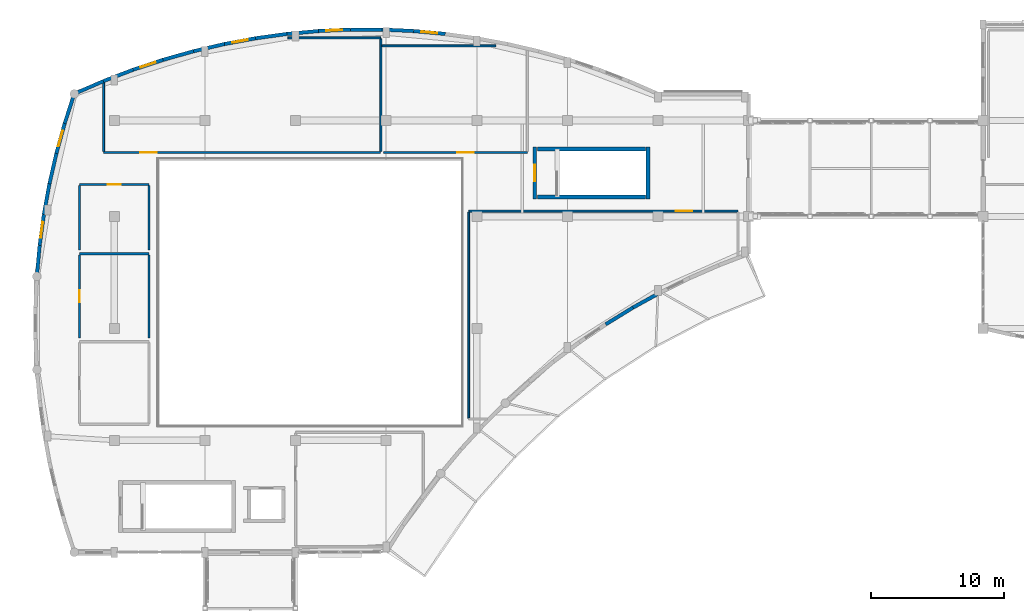
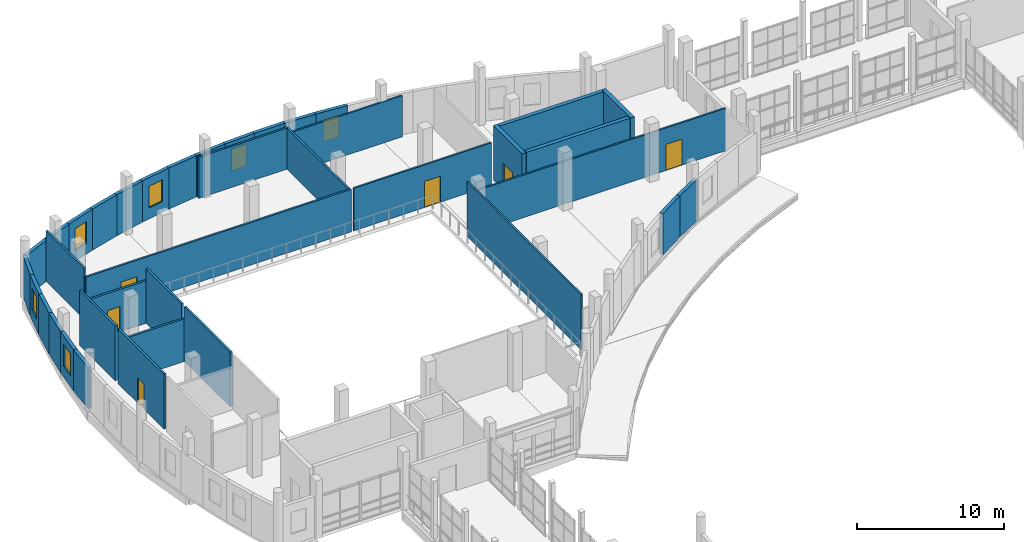
# One storey, part 86 of 106: 38 walls, 6 doors, 6 windows, 12 openings.
"""IFC4 building model written with IfcOpenShell, lengths in metres."""

from ifc_helpers import new_model, si_unit, direction, frame, frame_2d, origin, place, context, subcontext, project, spatial, rectangle, extrude, material, layer, layer_set, type_object, element, fill, save


model = new_model("IFC4")

# Units and contexts
model_context = context("Model", 3, precision=1e-05, world=origin(), true_north=direction((0.0, 1.0)))
body_context = subcontext(model_context, "Body", "Model", "MODEL_VIEW")
ifc_project = project(units=[si_unit("LENGTHUNIT", "METRE"), si_unit("AREAUNIT", "SQUARE_METRE"), si_unit("VOLUMEUNIT", "CUBIC_METRE"), si_unit("PLANEANGLEUNIT", "RADIAN"), si_unit("MASSUNIT", "GRAM", prefix="KILO")], contexts=[model_context])

# Site, building, storey
site_placement = place(None, origin())
site = spatial("IfcSite", under=ifc_project, at=site_placement, CompositionType="ELEMENT")
building_placement = place(site_placement, origin())
building = spatial("IfcBuilding", under=site, at=building_placement, Name="Kisaragi Civic Commons", CompositionType="ELEMENT")
storey_placement = place(building_placement, frame((0.0, 0.0, 4.800048828125)))
storey = spatial("IfcBuildingStorey", under=building, at=storey_placement, Name="L01", CompositionType="ELEMENT", Elevation=4.800048828125)

# Wall
ifc_material_1 = material(Name="Insulated Tokoname terracotta cavity wall", Category="masonry")
ifc_layer_1 = layer(ifc_material_1, 0.26806640625, Name="Insulated Tokoname terracotta cavity wall", Category="masonry")
ifc_layer_set_1 = layer_set([ifc_layer_1], Name="Insulated Tokoname terracotta cavity wall")
wall_type_1 = type_object("IfcWallType", Name="EW-04", PredefinedType="STANDARD", material=ifc_layer_set_1)
wall_1_placement = place(storey_placement, frame((0.9912109375, 99.9033203125, 0.0), z_axis=(0.0, 0.0, 1.0), x_axis=(0.089725771447, 0.995966508442, 0.0)))
element("IfcWall", 1, at=wall_1_placement, inside=storey, type_object=wall_type_1, Name="V2 L01 exterior terracotta wall EW-04 192", PredefinedType="STANDARD", context=body_context, shape_type="SweptSolid", body=[
    extrude(rectangle(XDim=2.33740234375, YDim=0.26806640625, at=frame_2d((1.168701171875, 0.0))), origin(), (0.0, 0.0, 1.0), 3.405029296875),
])

# Wall, opening, window
wall_2_placement = place(storey_placement, frame((1.200927734375, 102.231201171875, 0.0), z_axis=(0.0, 0.0, 1.0), x_axis=(0.134441908153, 0.990921476875, 0.0)))
wall_2 = element("IfcWall", 2, at=wall_2_placement, inside=storey, type_object=wall_type_1, Name="V2 L01 exterior terracotta wall EW-04 193", PredefinedType="STANDARD", context=body_context, shape_type="SweptSolid", body=[
    extrude(rectangle(XDim=2.337158203125, YDim=0.26806640625, at=frame_2d((1.16845703125, 0.0))), origin(), (0.0, 0.0, 1.0), 3.405029296875),
])
opening_1_placement = place(wall_2_placement, frame((0.568603515625, 0.0, 0.89990234375)))
opening_1 = element("IfcOpeningElement", 3, at=opening_1_placement, cuts=wall_2, Name="Opening W-05", PredefinedType="OPENING", context=body_context, shape_type="SweptSolid", body=[
    extrude(rectangle(XDim=1.199951171875, YDim=1.800048828125, at=frame_2d((0.60009765625, 0.89990234375))), frame((0.0, 0.14404296875, 0.0), z_axis=(0.0, -1.0, 0.0), x_axis=(1.0, 0.0, 0.0)), (0.0, 0.0, 1.0), 0.2880859375),
])
ifc_material_2 = material(Name="Thermally broken aluminium frame and low-E argon double glazing", Category="aluminium")
window_type = type_object("IfcWindowType", Name="W-05", PartitioningType="SINGLE_PANEL", PredefinedType="WINDOW", material=ifc_material_2)
window_1_placement = place(opening_1_placement, origin())
window_1 = element("IfcWindow", 4, at=window_1_placement, inside=storey, type_object=window_type, Name="V2 L01 window W-05 60", OverallHeight=1.800048828125, OverallWidth=1.199951171875, PartitioningType="SINGLE_PANEL", PredefinedType="WINDOW", context=body_context, shape_type="SweptSolid", body=[
    extrude(rectangle(XDim=1.199951171875, YDim=1.800048828125, at=frame_2d((0.60009765625, 0.89990234375))), frame((0.0, 0.030029296875, 0.0), z_axis=(0.0, -1.0, 0.0), x_axis=(1.0, 0.0, 0.0)), (0.0, 0.0, 1.0), 0.06005859375),
])
fill(opening_1, window_1)

# Walls
wall_3_placement = place(storey_placement, frame((1.51513671875, 104.547119140625, 0.0), z_axis=(0.0, 0.0, 1.0), x_axis=(0.178848665452, 0.983876595344, 0.0)))
element("IfcWall", 5, at=wall_3_placement, inside=storey, type_object=wall_type_1, Name="V2 L01 exterior terracotta wall EW-04 194", PredefinedType="STANDARD", context=body_context, shape_type="SweptSolid", body=[
    extrude(rectangle(XDim=2.3369140625, YDim=0.26806640625, at=frame_2d((1.16845703125, 0.0))), origin(), (0.0, 0.0, 1.0), 3.405029296875),
])
wall_4_placement = place(storey_placement, frame((1.93310546875, 106.846435546875, 0.0), z_axis=(0.0, 0.0, 1.0), x_axis=(0.222898540551, 0.974841648998, 0.0)))
element("IfcWall", 6, at=wall_4_placement, inside=storey, type_object=wall_type_1, Name="V2 L01 exterior terracotta wall EW-04 195", PredefinedType="STANDARD", context=body_context, shape_type="SweptSolid", body=[
    extrude(rectangle(XDim=2.33740234375, YDim=0.26806640625, at=frame_2d((1.168701171875, 0.0))), origin(), (0.0, 0.0, 1.0), 3.405029296875),
])

# Wall, opening, window
wall_5_placement = place(storey_placement, frame((2.4541015625, 109.125, 0.0), z_axis=(0.0, 0.0, 1.0), x_axis=(0.266377520109, 0.963868775706, 0.0)))
wall_5 = element("IfcWall", 7, at=wall_5_placement, inside=storey, type_object=wall_type_1, Name="V2 L01 exterior terracotta wall EW-04 196", PredefinedType="STANDARD", context=body_context, shape_type="SweptSolid", body=[
    extrude(rectangle(XDim=2.337158203125, YDim=0.26806640625, at=frame_2d((1.16845703125, 0.0))), origin(), (0.0, 0.0, 1.0), 3.405029296875),
])
opening_2_placement = place(wall_5_placement, frame((0.568603515625, 0.0, 0.89990234375)))
opening_2 = element("IfcOpeningElement", 8, at=opening_2_placement, cuts=wall_5, Name="Opening W-05", PredefinedType="OPENING", context=body_context, shape_type="SweptSolid", body=[
    extrude(rectangle(XDim=1.199951171875, YDim=1.800048828125, at=frame_2d((0.60009765625, 0.89990234375))), frame((0.0, 0.14404296875, 0.0), z_axis=(0.0, -1.0, 0.0), x_axis=(1.0, 0.0, 0.0)), (0.0, 0.0, 1.0), 0.2880859375),
])
window_2_placement = place(opening_2_placement, origin())
window_2 = element("IfcWindow", 9, at=window_2_placement, inside=storey, type_object=window_type, Name="V2 L01 window W-05 61", OverallHeight=1.800048828125, OverallWidth=1.199951171875, PartitioningType="SINGLE_PANEL", PredefinedType="WINDOW", context=body_context, shape_type="SweptSolid", body=[
    extrude(rectangle(XDim=1.199951171875, YDim=1.800048828125, at=frame_2d((0.60009765625, 0.89990234375))), frame((0.0, 0.030029296875, 0.0), z_axis=(0.0, -1.0, 0.0), x_axis=(1.0, 0.0, 0.0)), (0.0, 0.0, 1.0), 0.06005859375),
])
fill(opening_2, window_2)

# Walls
wall_6_placement = place(storey_placement, frame((3.07666015625, 111.377685546875, 0.0), z_axis=(0.0, 0.0, 1.0), x_axis=(0.309513563402, 0.950895027892, 0.0)))
element("IfcWall", 10, at=wall_6_placement, inside=storey, type_object=wall_type_1, Name="V2 L01 exterior terracotta wall EW-04 197", PredefinedType="STANDARD", context=body_context, shape_type="SweptSolid", body=[
    extrude(rectangle(XDim=2.337158203125, YDim=0.26806640625, at=frame_2d((1.16845703125, 0.0))), origin(), (0.0, 0.0, 1.0), 3.405029296875),
])
wall_7_placement = place(storey_placement, frame((3.800048828125, 113.60009765625, 0.0), z_axis=(0.0, 0.0, 1.0), x_axis=(0.916395023077, 0.400275107494, 0.0)))
element("IfcWall", 11, at=wall_7_placement, inside=storey, type_object=wall_type_1, Name="V2 L01 exterior terracotta wall EW-04 198", PredefinedType="STANDARD", context=body_context, shape_type="SweptSolid", body=[
    extrude(rectangle(XDim=2.37939453125, YDim=0.26806640625, at=frame_2d((1.189697265625, 0.0))), origin(), (0.0, 0.0, 1.0), 3.405029296875),
])
wall_8_placement = place(storey_placement, frame((5.98046875, 114.552490234375, 0.0), z_axis=(0.0, 0.0, 1.0), x_axis=(0.933744402392, 0.357940485278, 0.0)))
element("IfcWall", 12, at=wall_8_placement, inside=storey, type_object=wall_type_1, Name="V2 L01 exterior terracotta wall EW-04 199", PredefinedType="STANDARD", context=body_context, shape_type="SweptSolid", body=[
    extrude(rectangle(XDim=2.379150390625, YDim=0.26806640625, at=frame_2d((1.189453125, 0.0))), origin(), (0.0, 0.0, 1.0), 3.405029296875),
])

# Wall, opening, window
wall_9_placement = place(storey_placement, frame((8.201904296875, 115.404052734375, 0.0), z_axis=(0.0, 0.0, 1.0), x_axis=(0.949123588858, 0.31490381559, 0.0)))
wall_9 = element("IfcWall", 13, at=wall_9_placement, inside=storey, type_object=wall_type_1, Name="V2 L01 exterior terracotta wall EW-04 200", PredefinedType="STANDARD", context=body_context, shape_type="SweptSolid", body=[
    extrude(rectangle(XDim=2.37939453125, YDim=0.26806640625, at=frame_2d((1.189697265625, 0.0))), origin(), (0.0, 0.0, 1.0), 3.405029296875),
])
opening_3_placement = place(wall_9_placement, frame((0.589599609375, 0.0, 0.89990234375)))
opening_3 = element("IfcOpeningElement", 14, at=opening_3_placement, cuts=wall_9, Name="Opening W-05", PredefinedType="OPENING", context=body_context, shape_type="SweptSolid", body=[
    extrude(rectangle(XDim=1.199951171875, YDim=1.800048828125, at=frame_2d((0.60009765625, 0.89990234375))), frame((0.0, 0.14404296875, 0.0), z_axis=(0.0, -1.0, 0.0), x_axis=(1.0, 0.0, 0.0)), (0.0, 0.0, 1.0), 0.2880859375),
])
window_3_placement = place(opening_3_placement, origin())
window_3 = element("IfcWindow", 15, at=window_3_placement, inside=storey, type_object=window_type, Name="V2 L01 window W-05 62", OverallHeight=1.800048828125, OverallWidth=1.199951171875, PartitioningType="SINGLE_PANEL", PredefinedType="WINDOW", context=body_context, shape_type="SweptSolid", body=[
    extrude(rectangle(XDim=1.199951171875, YDim=1.800048828125, at=frame_2d((0.60009765625, 0.89990234375))), frame((0.0, 0.030029296875, 0.0), z_axis=(0.0, -1.0, 0.0), x_axis=(1.0, 0.0, 0.0)), (0.0, 0.0, 1.0), 0.06005859375),
])
fill(opening_3, window_3)

# Walls
wall_10_placement = place(storey_placement, frame((10.460205078125, 116.1533203125, 0.0), z_axis=(0.0, 0.0, 1.0), x_axis=(0.962554772645, 0.27108727314, 0.0)))
element("IfcWall", 16, at=wall_10_placement, inside=storey, type_object=wall_type_1, Name="V2 L01 exterior terracotta wall EW-04 201", PredefinedType="STANDARD", context=body_context, shape_type="SweptSolid", body=[
    extrude(rectangle(XDim=2.37939453125, YDim=0.26806640625, at=frame_2d((1.189697265625, 0.0))), origin(), (0.0, 0.0, 1.0), 3.405029296875),
])
wall_11_placement = place(storey_placement, frame((12.75048828125, 116.79833984375, 0.0), z_axis=(0.0, 0.0, 1.0), x_axis=(0.97394480738, 0.226785167454, 0.0)))
element("IfcWall", 17, at=wall_11_placement, inside=storey, type_object=wall_type_1, Name="V2 L01 exterior terracotta wall EW-04 202", PredefinedType="STANDARD", context=body_context, shape_type="SweptSolid", body=[
    extrude(rectangle(XDim=2.379150390625, YDim=0.26806640625, at=frame_2d((1.189453125, 0.0))), origin(), (0.0, 0.0, 1.0), 3.405029296875),
])

# Wall, opening, window
wall_12_placement = place(storey_placement, frame((15.067626953125, 117.337890625, 0.0), z_axis=(0.0, 0.0, 1.0), x_axis=(0.983293570228, 0.182026796784, 0.0)))
wall_12 = element("IfcWall", 18, at=wall_12_placement, inside=storey, type_object=wall_type_1, Name="V2 L01 exterior terracotta wall EW-04 203", PredefinedType="STANDARD", context=body_context, shape_type="SweptSolid", body=[
    extrude(rectangle(XDim=2.37939453125, YDim=0.26806640625, at=frame_2d((1.189697265625, 0.0))), origin(), (0.0, 0.0, 1.0), 3.405029296875),
])
opening_4_placement = place(wall_12_placement, frame((0.589599609375, 0.0, 0.89990234375)))
opening_4 = element("IfcOpeningElement", 19, at=opening_4_placement, cuts=wall_12, Name="Opening W-05", PredefinedType="OPENING", context=body_context, shape_type="SweptSolid", body=[
    extrude(rectangle(XDim=1.199951171875, YDim=1.800048828125, at=frame_2d((0.60009765625, 0.89990234375))), frame((0.0, 0.14404296875, 0.0), z_axis=(0.0, -1.0, 0.0), x_axis=(1.0, 0.0, 0.0)), (0.0, 0.0, 1.0), 0.2880859375),
])
window_4_placement = place(opening_4_placement, origin())
window_4 = element("IfcWindow", 20, at=window_4_placement, inside=storey, type_object=window_type, Name="V2 L01 window W-05 63", OverallHeight=1.800048828125, OverallWidth=1.199951171875, PartitioningType="SINGLE_PANEL", PredefinedType="WINDOW", context=body_context, shape_type="SweptSolid", body=[
    extrude(rectangle(XDim=1.199951171875, YDim=1.800048828125, at=frame_2d((0.60009765625, 0.89990234375))), frame((0.0, 0.030029296875, 0.0), z_axis=(0.0, -1.0, 0.0), x_axis=(1.0, 0.0, 0.0)), (0.0, 0.0, 1.0), 0.06005859375),
])
fill(opening_4, window_4)

# Walls
for number, where, z_axis, x_axis, name in (
    (21, (17.4072265625, 117.77099609375, 0.0), (0.0, 0.0, 1.0), (0.990587574889, 0.136880445919, 0.0), "V2 L01 exterior terracotta wall EW-04 204"),
    (22, (19.76416015625, 118.0966796875, 0.0), (0.0, 0.0, 1.0), (0.995812069599, 0.091423859249, 0.0), "V2 L01 exterior terracotta wall EW-04 205"),
):
    element("IfcWall", number, at=place(storey_placement, frame(where, z_axis=z_axis, x_axis=x_axis)), inside=storey, type_object=wall_type_1, Name=name, PredefinedType="STANDARD", context=body_context, shape_type="SweptSolid", body=[
        extrude(rectangle(XDim=2.37939453125, YDim=0.26806640625, at=frame_2d((1.189697265625, 0.0))), origin(), (0.0, 0.0, 1.0), 3.405029296875),
    ])

# Wall, opening, window
wall_13_placement = place(storey_placement, frame((22.133544921875, 118.314208984375, 0.0), z_axis=(0.0, 0.0, 1.0), x_axis=(0.998952399437, 0.045761377378, 0.0)))
wall_13 = element("IfcWall", 23, at=wall_13_placement, inside=storey, type_object=wall_type_1, Name="V2 L01 exterior terracotta wall EW-04 206", PredefinedType="STANDARD", context=body_context, shape_type="SweptSolid", body=[
    extrude(rectangle(XDim=2.37939453125, YDim=0.26806640625, at=frame_2d((1.189697265625, 0.0))), origin(), (0.0, 0.0, 1.0), 3.405029296875),
])
opening_5_placement = place(wall_13_placement, frame((0.589599609375, 0.0, 0.89990234375)))
opening_5 = element("IfcOpeningElement", 24, at=opening_5_placement, cuts=wall_13, Name="Opening W-05", PredefinedType="OPENING", context=body_context, shape_type="SweptSolid", body=[
    extrude(rectangle(XDim=1.199951171875, YDim=1.800048828125, at=frame_2d((0.60009765625, 0.89990234375))), frame((0.0, 0.14404296875, 0.0), z_axis=(0.0, -1.0, 0.0), x_axis=(1.0, 0.0, 0.0)), (0.0, 0.0, 1.0), 0.2880859375),
])
window_5_placement = place(opening_5_placement, origin())
window_5 = element("IfcWindow", 25, at=window_5_placement, inside=storey, type_object=window_type, Name="V2 L01 window W-05 64", OverallHeight=1.800048828125, OverallWidth=1.199951171875, PartitioningType="SINGLE_PANEL", PredefinedType="WINDOW", context=body_context, shape_type="SweptSolid", body=[
    extrude(rectangle(XDim=1.199951171875, YDim=1.800048828125, at=frame_2d((0.60009765625, 0.89990234375))), frame((0.0, 0.030029296875, 0.0), z_axis=(0.0, -1.0, 0.0), x_axis=(1.0, 0.0, 0.0)), (0.0, 0.0, 1.0), 0.06005859375),
])
fill(opening_5, window_5)

# Walls
wall_14_placement = place(storey_placement, frame((24.510498046875, 118.423095703125, 0.0), z_axis=(0.0, 0.0, 1.0), x_axis=(1.0, 0.0, 0.0)))
element("IfcWall", 26, at=wall_14_placement, inside=storey, type_object=wall_type_1, Name="V2 L01 exterior terracotta wall EW-04 207", PredefinedType="STANDARD", context=body_context, shape_type="SweptSolid", body=[
    extrude(rectangle(XDim=2.379150390625, YDim=0.26806640625, at=frame_2d((1.189453125, 0.0))), origin(), (0.0, 0.0, 1.0), 3.405029296875),
])
wall_15_placement = place(storey_placement, frame((26.8896484375, 118.423095703125, 0.0), z_axis=(0.0, 0.0, 1.0), x_axis=(0.998952399437, -0.045761377378, 0.0)))
element("IfcWall", 27, at=wall_15_placement, inside=storey, type_object=wall_type_1, Name="V2 L01 exterior terracotta wall EW-04 208", PredefinedType="STANDARD", context=body_context, shape_type="SweptSolid", body=[
    extrude(rectangle(XDim=2.37939453125, YDim=0.26806640625, at=frame_2d((1.189697265625, 0.0))), origin(), (0.0, 0.0, 1.0), 3.405029296875),
])

# Wall, opening, window
wall_16_placement = place(storey_placement, frame((29.2666015625, 118.314208984375, 0.0), z_axis=(0.0, 0.0, 1.0), x_axis=(0.995811211836, -0.091433201746, 0.0)))
wall_16 = element("IfcWall", 28, at=wall_16_placement, inside=storey, type_object=wall_type_1, Name="V2 L01 exterior terracotta wall EW-04 209", PredefinedType="STANDARD", context=body_context, shape_type="SweptSolid", body=[
    extrude(rectangle(XDim=2.379150390625, YDim=0.26806640625, at=frame_2d((1.189453125, 0.0))), origin(), (0.0, 0.0, 1.0), 3.405029296875),
])
opening_6_placement = place(wall_16_placement, frame((0.589599609375, 0.0, 0.89990234375)))
opening_6 = element("IfcOpeningElement", 29, at=opening_6_placement, cuts=wall_16, Name="Opening W-05", PredefinedType="OPENING", context=body_context, shape_type="SweptSolid", body=[
    extrude(rectangle(XDim=1.199951171875, YDim=1.800048828125, at=frame_2d((0.60009765625, 0.89990234375))), frame((0.0, 0.14404296875, 0.0), z_axis=(0.0, -1.0, 0.0), x_axis=(1.0, 0.0, 0.0)), (0.0, 0.0, 1.0), 0.2880859375),
])
window_6_placement = place(opening_6_placement, origin())
window_6 = element("IfcWindow", 30, at=window_6_placement, inside=storey, type_object=window_type, Name="V2 L01 window W-05 65", OverallHeight=1.800048828125, OverallWidth=1.199951171875, PartitioningType="SINGLE_PANEL", PredefinedType="WINDOW", context=body_context, shape_type="SweptSolid", body=[
    extrude(rectangle(XDim=1.199951171875, YDim=1.800048828125, at=frame_2d((0.60009765625, 0.89990234375))), frame((0.0, 0.030029296875, 0.0), z_axis=(0.0, -1.0, 0.0), x_axis=(1.0, 0.0, 0.0)), (0.0, 0.0, 1.0), 0.06005859375),
])
fill(opening_6, window_6)

# Walls
for number, where, z_axis, x_axis, name in (
    (31, (47.818359375, 98.720703125, 0.0), (0.0, 0.0, 1.0), (-0.875379974168, -0.483435518788, 0.0), "V2 L01 exterior terracotta wall EW-04 224"),
    (32, (45.720703125, 97.562255859375, 0.0), (0.0, 0.0, 1.0), (-0.852161661099, -0.523278609685, 0.0), "V2 L01 exterior terracotta wall EW-04 225"),
):
    element("IfcWall", number, at=place(storey_placement, frame(where, z_axis=z_axis, x_axis=x_axis)), inside=storey, type_object=wall_type_1, Name=name, PredefinedType="STANDARD", context=body_context, shape_type="SweptSolid", body=[
        extrude(rectangle(XDim=2.396240234375, YDim=0.26806640625, at=frame_2d((1.1982421875, 0.0))), origin(), (0.0, 0.0, 1.0), 3.405029296875),
    ])
ifc_material_3 = material(Name="Acoustic gypsum board on light-gauge steel studs", Category="steel")
ifc_layer_2 = layer(ifc_material_3, 0.14990234375, Name="Acoustic gypsum board on light-gauge steel studs", Category="steel")
ifc_layer_set_2 = layer_set([ifc_layer_2], Name="Acoustic gypsum board on light-gauge steel studs")
wall_type_2 = type_object("IfcWallType", Name="IW-01", PredefinedType="STANDARD", material=ifc_layer_set_2)
wall_17_placement = place(storey_placement, frame((6.0, 109.27490234375, 0.0), z_axis=(0.0, 0.0, 1.0), x_axis=(0.0, 1.0, 0.0)))
element("IfcWall", 33, at=wall_17_placement, inside=storey, type_object=wall_type_2, Name="L01 S1-02 partition IW-01 226", PredefinedType="STANDARD", context=body_context, shape_type="SweptSolid", body=[
    extrude(rectangle(XDim=5.14306640625, YDim=0.14990234375, at=frame_2d((2.571533203125, 0.0))), origin(), (0.0, 0.0, 1.0), 4.204833984375),
])
wall_18_placement = place(storey_placement, frame((19.81884765625, 117.800048828125, 0.0), z_axis=(0.0, 0.0, 1.0), x_axis=(1.0, 0.0, 0.0)))
element("IfcWall", 34, at=wall_18_placement, inside=storey, type_object=wall_type_2, Name="L01 S1-02 partition IW-01 227", PredefinedType="STANDARD", context=body_context, shape_type="SweptSolid", body=[
    extrude(rectangle(XDim=6.97607421875, YDim=0.14990234375, at=frame_2d((3.488037109375, 0.0))), origin(), (0.0, 0.0, 1.0), 3.405029296875),
])
wall_19_placement = place(storey_placement, frame((26.800048828125, 117.72509765625, 0.0), z_axis=(0.0, 0.0, 1.0), x_axis=(0.0, -1.0, 0.0)))
element("IfcWall", 35, at=wall_19_placement, inside=storey, type_object=wall_type_2, Name="L01 S1-02 partition IW-01 228", PredefinedType="STANDARD", context=body_context, shape_type="SweptSolid", body=[
    extrude(rectangle(XDim=8.4501953125, YDim=0.14990234375, at=frame_2d((4.22509765625, 0.0))), origin(), (0.0, 0.0, 1.0), 3.405029296875),
])

# Wall, opening, door
wall_20_placement = place(storey_placement, frame((26.794921875, 109.199951171875, 0.0), z_axis=(0.0, 0.0, 1.0), x_axis=(-1.0, 0.0, 0.0)))
wall_20 = element("IfcWall", 36, at=wall_20_placement, inside=storey, type_object=wall_type_2, Name="L01 S1-02 partition IW-01 229", PredefinedType="STANDARD", context=body_context, shape_type="SweptSolid", body=[
    extrude(rectangle(XDim=20.7900390625, YDim=0.14990234375, at=frame_2d((10.39501953125, 0.0))), origin(), (0.0, 0.0, 1.0), 3.52490234375),
])
opening_7_placement = place(wall_20_placement, frame((16.804443359375, 0.0, 0.0)))
opening_7 = element("IfcOpeningElement", 37, at=opening_7_placement, cuts=wall_20, Name="Opening ID-15", PredefinedType="OPENING", context=body_context, shape_type="SweptSolid", body=[
    extrude(rectangle(XDim=1.25, YDim=2.159912109375, at=frame_2d((0.625, 1.080078125))), frame((0.0, 0.0849609375, 0.0), z_axis=(0.0, -1.0, 0.0), x_axis=(1.0, 0.0, 0.0)), (0.0, 0.0, 1.0), 0.169921875),
])
ifc_material_4 = material(Name="Solid-core Japanese ash acoustic flush timber leaf in steel frame", Category="steel")
door_type_1 = type_object("IfcDoorType", Name="ID-15", OperationType="NOTDEFINED", PredefinedType="DOOR", material=ifc_material_4)
door_1_placement = place(opening_7_placement, origin())
door_1 = element("IfcDoor", 38, at=door_1_placement, inside=storey, type_object=door_type_1, Name="Exercise Studio door ID-15", OperationType="SINGLE_SWING_RIGHT", OverallHeight=2.159912109375, OverallWidth=1.25, PredefinedType="DOOR", context=body_context, shape_type="SweptSolid", body=[
    extrude(rectangle(XDim=1.25, YDim=2.159912109375, at=frame_2d((0.625, 1.080078125))), frame((0.0, 0.02490234375, 0.0), z_axis=(0.0, -1.0, 0.0), x_axis=(1.0, 0.0, 0.0)), (0.0, 0.0, 1.0), 0.050048828125),
])
fill(opening_7, door_1)

# Wall
ifc_layer_3 = layer(ifc_material_3, 0.137939453125, Name="Acoustic gypsum board on light-gauge steel studs", Category="steel")
ifc_layer_set_3 = layer_set([ifc_layer_3], Name="Acoustic gypsum board on light-gauge steel studs")
wall_type_3 = type_object("IfcWallType", Name="IW-02", PredefinedType="STANDARD", material=ifc_layer_set_3)
wall_21_placement = place(storey_placement, frame((33.39990234375, 89.27490234375, 0.0), z_axis=(0.0, 0.0, 1.0), x_axis=(0.0, 1.0, 0.0)))
element("IfcWall", 39, at=wall_21_placement, inside=storey, type_object=wall_type_3, Name="L01 S1-08 partition IW-02 203", PredefinedType="STANDARD", context=body_context, shape_type="SweptSolid", body=[
    extrude(rectangle(XDim=15.4501953125, YDim=0.137939453125, at=frame_2d((7.72509765625, 0.0))), origin(), (0.0, 0.0, 1.0), 4.5400390625),
])

# Wall, opening, door
wall_22_placement = place(storey_placement, frame((33.405029296875, 104.800048828125, 0.0), z_axis=(0.0, 0.0, 1.0), x_axis=(1.0, 0.0, 0.0)))
wall_22 = element("IfcWall", 40, at=wall_22_placement, inside=storey, type_object=wall_type_3, Name="L01 S1-08 partition IW-02 204", PredefinedType="STANDARD", context=body_context, shape_type="SweptSolid", body=[
    extrude(rectangle(XDim=20.18994140625, YDim=0.137939453125, at=frame_2d((10.094970703125, 0.0))), origin(), (0.0, 0.0, 1.0), 3.52490234375),
])
opening_8_placement = place(wall_22_placement, frame((15.53076171875, 0.0, 0.0)))
opening_8 = element("IfcOpeningElement", 41, at=opening_8_placement, cuts=wall_22, Name="Opening ID-15", PredefinedType="OPENING", context=body_context, shape_type="SweptSolid", body=[
    extrude(rectangle(XDim=1.25, YDim=2.159912109375, at=frame_2d((0.625, 1.080078125))), frame((0.0, 0.078857421875, 0.0), z_axis=(0.0, -1.0, 0.0), x_axis=(1.0, 0.0, 0.0)), (0.0, 0.0, 1.0), 0.157958984375),
])
door_2_placement = place(opening_8_placement, origin())
door_2 = element("IfcDoor", 42, at=door_2_placement, inside=storey, type_object=door_type_1, Name="Sports Conditioning Studio door ID-15", OperationType="SINGLE_SWING_LEFT", OverallHeight=2.159912109375, OverallWidth=1.25, PredefinedType="DOOR", context=body_context, shape_type="SweptSolid", body=[
    extrude(rectangle(XDim=1.25, YDim=2.159912109375, at=frame_2d((0.625, 1.080078125))), frame((0.0, 0.02490234375, 0.0), z_axis=(0.0, -1.0, 0.0), x_axis=(1.0, 0.0, 0.0)), (0.0, 0.0, 1.0), 0.050048828125),
])
fill(opening_8, door_2)

# Wall
wall_23_placement = place(storey_placement, frame((26.883056640625, 117.199951171875, 0.0), z_axis=(0.0, 0.0, 1.0), x_axis=(1.0, 0.0, 0.0)))
element("IfcWall", 43, at=wall_23_placement, inside=storey, type_object=wall_type_3, Name="L01 S1-03 partition IW-02 230", PredefinedType="STANDARD", context=body_context, shape_type="SweptSolid", body=[
    extrude(rectangle(XDim=8.54150390625, YDim=0.137939453125, at=frame_2d((4.270751953125, 0.0))), origin(), (0.0, 0.0, 1.0), 3.405029296875),
])

# Wall, opening, door
wall_24_placement = place(storey_placement, frame((37.794921875, 109.199951171875, 0.0), z_axis=(0.0, 0.0, 1.0), x_axis=(-1.0, 0.0, 0.0)))
wall_24 = element("IfcWall", 44, at=wall_24_placement, inside=storey, type_object=wall_type_3, Name="L01 S1-03 partition IW-02 232", PredefinedType="STANDARD", context=body_context, shape_type="SweptSolid", body=[
    extrude(rectangle(XDim=10.7900390625, YDim=0.137939453125, at=frame_2d((5.39501953125, 0.0))), origin(), (0.0, 0.0, 1.0), 3.52490234375),
])
opening_9_placement = place(wall_24_placement, frame((4.0068359375, 0.0, 0.0)))
opening_9 = element("IfcOpeningElement", 45, at=opening_9_placement, cuts=wall_24, Name="Opening ID-15", PredefinedType="OPENING", context=body_context, shape_type="SweptSolid", body=[
    extrude(rectangle(XDim=1.25, YDim=2.159912109375, at=frame_2d((0.625, 1.080078125))), frame((0.0, 0.078857421875, 0.0), z_axis=(0.0, -1.0, 0.0), x_axis=(1.0, 0.0, 0.0)), (0.0, 0.0, 1.0), 0.157958984375),
])
door_3_placement = place(opening_9_placement, origin())
door_3 = element("IfcDoor", 46, at=door_3_placement, inside=storey, type_object=door_type_1, Name="Fitness Multipurpose Room door ID-15", OperationType="SINGLE_SWING_LEFT", OverallHeight=2.159912109375, OverallWidth=1.25, PredefinedType="DOOR", context=body_context, shape_type="SweptSolid", body=[
    extrude(rectangle(XDim=1.25, YDim=2.159912109375, at=frame_2d((0.625, 1.080078125))), frame((0.0, 0.02490234375, 0.0), z_axis=(0.0, -1.0, 0.0), x_axis=(1.0, 0.0, 0.0)), (0.0, 0.0, 1.0), 0.050048828125),
])
fill(opening_9, door_3)

# Wall
ifc_material_5 = material(Name="Cementitious tile-backer board on galvanized steel studs", Category="steel")
ifc_layer_4 = layer(ifc_material_5, 0.16796875, Name="Cementitious tile-backer board on galvanized steel studs", Category="steel")
ifc_layer_set_4 = layer_set([ifc_layer_4], Name="Cementitious tile-backer board on galvanized steel studs")
wall_type_4 = type_object("IfcWallType", Name="IW-03", PredefinedType="STANDARD", material=ifc_layer_set_4)
wall_25_placement = place(storey_placement, frame((9.39990234375, 101.52490234375, 0.0), z_axis=(0.0, 0.0, 1.0), x_axis=(0.0, -1.0, 0.0)))
element("IfcWall", 47, at=wall_25_placement, inside=storey, type_object=wall_type_4, Name="L01 S1-06 partition IW-03 237", PredefinedType="STANDARD", context=body_context, shape_type="SweptSolid", body=[
    extrude(rectangle(XDim=6.25, YDim=0.16796875, at=frame_2d((3.125, 0.0))), origin(), (0.0, 0.0, 1.0), 4.5400390625),
])

# Wall, opening, door
wall_26_placement = place(storey_placement, frame((4.199951171875, 95.27490234375, 0.0), z_axis=(0.0, 0.0, 1.0), x_axis=(0.0, 1.0, 0.0)))
wall_26 = element("IfcWall", 48, at=wall_26_placement, inside=storey, type_object=wall_type_4, Name="L01 S1-06 partition IW-03 238", PredefinedType="STANDARD", context=body_context, shape_type="SweptSolid", body=[
    extrude(rectangle(XDim=6.25, YDim=0.16796875, at=frame_2d((3.125, 0.0))), origin(), (0.0, 0.0, 1.0), 4.5400390625),
])
opening_10_placement = place(wall_26_placement, frame((2.675048828125, 0.0, 0.0)))
opening_10 = element("IfcOpeningElement", 49, at=opening_10_placement, cuts=wall_26, Name="Opening ID-02", PredefinedType="OPENING", context=body_context, shape_type="SweptSolid", body=[
    extrude(rectangle(XDim=0.89990234375, YDim=2.10009765625, at=frame_2d((0.449951171875, 1.050048828125))), frame((0.0, 0.093994140625, 0.0), z_axis=(0.0, -1.0, 0.0), x_axis=(1.0, 0.0, 0.0)), (0.0, 0.0, 1.0), 0.18798828125),
])
door_type_2 = type_object("IfcDoorType", Name="ID-02", OperationType="NOTDEFINED", PredefinedType="DOOR", material=ifc_material_4)
door_4_placement = place(opening_10_placement, origin())
door_4 = element("IfcDoor", 50, at=door_4_placement, inside=storey, type_object=door_type_2, Name="Sports Upper Female WC door ID-02", OperationType="SINGLE_SWING_LEFT", OverallHeight=2.10009765625, OverallWidth=0.89990234375, PredefinedType="DOOR", context=body_context, shape_type="SweptSolid", body=[
    extrude(rectangle(XDim=0.89990234375, YDim=2.10009765625, at=frame_2d((0.449951171875, 1.050048828125))), frame((0.0, 0.02490234375, 0.0), z_axis=(0.0, -1.0, 0.0), x_axis=(1.0, 0.0, 0.0)), (0.0, 0.0, 1.0), 0.050048828125),
])
fill(opening_10, door_4)

# Walls
wall_27_placement = place(storey_placement, frame((4.205078125, 101.60009765625, 0.0), z_axis=(0.0, 0.0, 1.0), x_axis=(1.0, 0.0, 0.0)))
element("IfcWall", 51, at=wall_27_placement, inside=storey, type_object=wall_type_4, Name="L01 S1-06 partition IW-03 239", PredefinedType="STANDARD", context=body_context, shape_type="SweptSolid", body=[
    extrude(rectangle(XDim=5.18994140625, YDim=0.16796875, at=frame_2d((2.594970703125, 0.0))), origin(), (0.0, 0.0, 1.0), 3.52490234375),
])
for number, where, z_axis, x_axis, name in (
    (52, (9.39990234375, 106.72509765625, 0.0), (0.0, 0.0, 1.0), (0.0, -1.0, 0.0), "L01 S1-07 partition IW-03 240"),
    (53, (4.199951171875, 101.875, 0.0), (0.0, 0.0, 1.0), (0.0, 1.0, 0.0), "L01 S1-07 partition IW-03 241"),
):
    element("IfcWall", number, at=place(storey_placement, frame(where, z_axis=z_axis, x_axis=x_axis)), inside=storey, type_object=wall_type_4, Name=name, PredefinedType="STANDARD", context=body_context, shape_type="SweptSolid", body=[
        extrude(rectangle(XDim=4.85009765625, YDim=0.16796875, at=frame_2d((2.425048828125, 0.0))), origin(), (0.0, 0.0, 1.0), 4.5400390625),
    ])

# Wall, opening, door
wall_28_placement = place(storey_placement, frame((4.205078125, 106.800048828125, 0.0), z_axis=(0.0, 0.0, 1.0), x_axis=(1.0, 0.0, 0.0)))
wall_28 = element("IfcWall", 54, at=wall_28_placement, inside=storey, type_object=wall_type_4, Name="L01 S1-07 partition IW-03 242", PredefinedType="STANDARD", context=body_context, shape_type="SweptSolid", body=[
    extrude(rectangle(XDim=5.18994140625, YDim=0.16796875, at=frame_2d((2.594970703125, 0.0))), origin(), (0.0, 0.0, 1.0), 3.52490234375),
])
opening_11_placement = place(wall_28_placement, frame((2.1201171875, 0.0, 0.0)))
opening_11 = element("IfcOpeningElement", 55, at=opening_11_placement, cuts=wall_28, Name="Opening ID-01", PredefinedType="OPENING", context=body_context, shape_type="SweptSolid", body=[
    extrude(rectangle(XDim=0.949951171875, YDim=2.10009765625, at=frame_2d((0.47509765625, 1.050048828125))), frame((0.0, 0.093994140625, 0.0), z_axis=(0.0, -1.0, 0.0), x_axis=(1.0, 0.0, 0.0)), (0.0, 0.0, 1.0), 0.18798828125),
])
door_type_3 = type_object("IfcDoorType", Name="ID-01", OperationType="NOTDEFINED", PredefinedType="DOOR", material=ifc_material_4)
door_5_placement = place(opening_11_placement, origin())
door_5 = element("IfcDoor", 56, at=door_5_placement, inside=storey, type_object=door_type_3, Name="Sports Upper Accessible WC door ID-01", OperationType="SINGLE_SWING_RIGHT", OverallHeight=2.10009765625, OverallWidth=0.949951171875, PredefinedType="DOOR", context=body_context, shape_type="SweptSolid", body=[
    extrude(rectangle(XDim=0.949951171875, YDim=2.10009765625, at=frame_2d((0.47509765625, 1.050048828125))), frame((0.0, 0.02490234375, 0.0), z_axis=(0.0, -1.0, 0.0), x_axis=(1.0, 0.0, 0.0)), (0.0, 0.0, 1.0), 0.050048828125),
])
fill(opening_11, door_5)

ifc_material_6 = material(Name="Concrete Fc36", Category="concrete")
ifc_layer_5 = layer(ifc_material_6, 0.300048828125, Name="Concrete Fc36", Category="concrete")
ifc_layer_set_5 = layer_set([ifc_layer_5], Name="Concrete Fc36")
wall_type_5 = type_object("IfcWallType", Name="SW-01", PredefinedType="SHEAR", material=ifc_layer_set_5)
wall_29_placement = place(storey_placement, frame((38.35009765625, 109.60009765625, 0.0), z_axis=(0.0, 0.0, 1.0), x_axis=(0.0, -1.0, 0.0)))
wall_29 = element("IfcWall", 57, at=wall_29_placement, inside=storey, type_object=wall_type_5, Name="ST-S2 L01 entry RC shear wall", PredefinedType="SHEAR", context=body_context, shape_type="SweptSolid", body=[
    extrude(rectangle(XDim=3.900146484375, YDim=0.300048828125, at=frame_2d((1.9501953125, 0.0))), origin(), (0.0, 0.0, 1.0), 4.5400390625),
])
opening_12_placement = place(wall_29_placement, frame((1.324951171875, 0.0, 0.0)))
opening_12 = element("IfcOpeningElement", 58, at=opening_12_placement, cuts=wall_29, Name="Opening SD-01", PredefinedType="OPENING", context=body_context, shape_type="SweptSolid", body=[
    extrude(rectangle(XDim=1.25, YDim=2.199951171875, at=frame_2d((0.625, 1.10009765625))), frame((0.0, 0.159912109375, 0.0), z_axis=(0.0, -1.0, 0.0), x_axis=(1.0, 0.0, 0.0)), (0.0, 0.0, 1.0), 0.320068359375),
])
ifc_material_7 = material(Name="Insulated fire-rated pressed steel door assembly", Category="steel")
door_type_4 = type_object("IfcDoorType", Name="SD-01", OperationType="NOTDEFINED", PredefinedType="DOOR", material=ifc_material_7)
door_6_placement = place(opening_12_placement, origin())
door_6 = element("IfcDoor", 59, at=door_6_placement, inside=storey, type_object=door_type_4, Name="ST-S2 L01 stair fire door 32", OperationType="SINGLE_SWING_RIGHT", OverallHeight=2.199951171875, OverallWidth=1.25, PredefinedType="DOOR", context=body_context, shape_type="SweptSolid", body=[
    extrude(rectangle(XDim=1.25, YDim=2.199951171875, at=frame_2d((0.625, 1.10009765625))), frame((0.0, 0.02490234375, 0.0), z_axis=(0.0, -1.0, 0.0), x_axis=(1.0, 0.0, 0.0)), (0.0, 0.0, 1.0), 0.050048828125),
])
fill(opening_12, door_6)

# Walls
wall_30_placement = place(storey_placement, frame((38.550048828125, 105.85009765625, 0.0), z_axis=(0.0, 0.0, 1.0), x_axis=(1.0, 0.0, 0.0)))
element("IfcWall", 60, at=wall_30_placement, inside=storey, type_object=wall_type_5, Name="ST-S2 L01 right RC shear wall", PredefinedType="SHEAR", context=body_context, shape_type="SweptSolid", body=[
    extrude(rectangle(XDim=8.099853515625, YDim=0.300048828125, at=frame_2d((4.0498046875, 0.0))), origin(), (0.0, 0.0, 1.0), 4.5400390625),
])
wall_31_placement = place(storey_placement, frame((46.85009765625, 105.699951171875, 0.0), z_axis=(0.0, 0.0, 1.0), x_axis=(0.0, 1.0, 0.0)))
element("IfcWall", 61, at=wall_31_placement, inside=storey, type_object=wall_type_5, Name="ST-S2 L01 far RC shear wall", PredefinedType="SHEAR", context=body_context, shape_type="SweptSolid", body=[
    extrude(rectangle(XDim=3.900146484375, YDim=0.300048828125, at=frame_2d((1.9501953125, 0.0))), origin(), (0.0, 0.0, 1.0), 4.5400390625),
])
wall_32_placement = place(storey_placement, frame((46.64990234375, 109.449951171875, 0.0), z_axis=(0.0, 0.0, 1.0), x_axis=(-1.0, 0.0, 0.0)))
element("IfcWall", 62, at=wall_32_placement, inside=storey, type_object=wall_type_5, Name="ST-S2 L01 left RC shear wall", PredefinedType="SHEAR", context=body_context, shape_type="SweptSolid", body=[
    extrude(rectangle(XDim=8.099853515625, YDim=0.300048828125, at=frame_2d((4.0498046875, 0.0))), origin(), (0.0, 0.0, 1.0), 4.5400390625),
])

save(model, "model.ifc")
